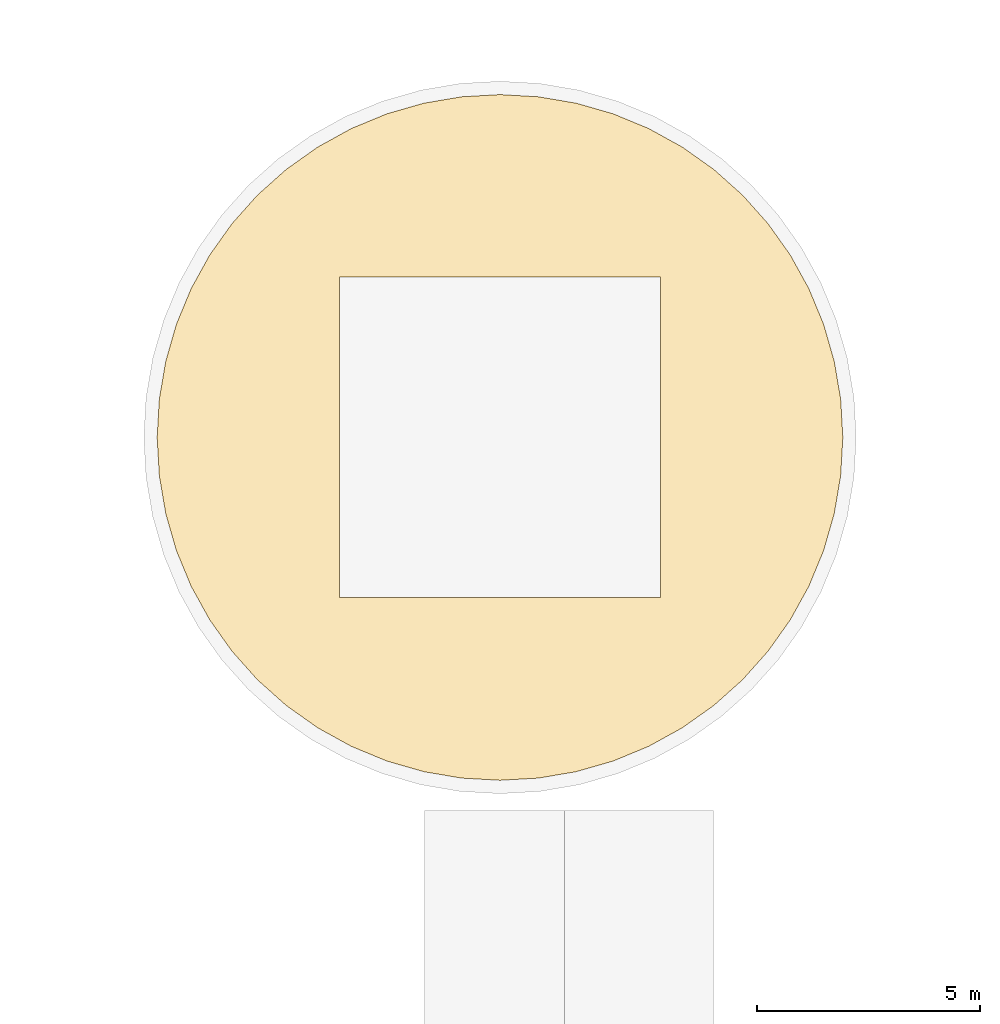
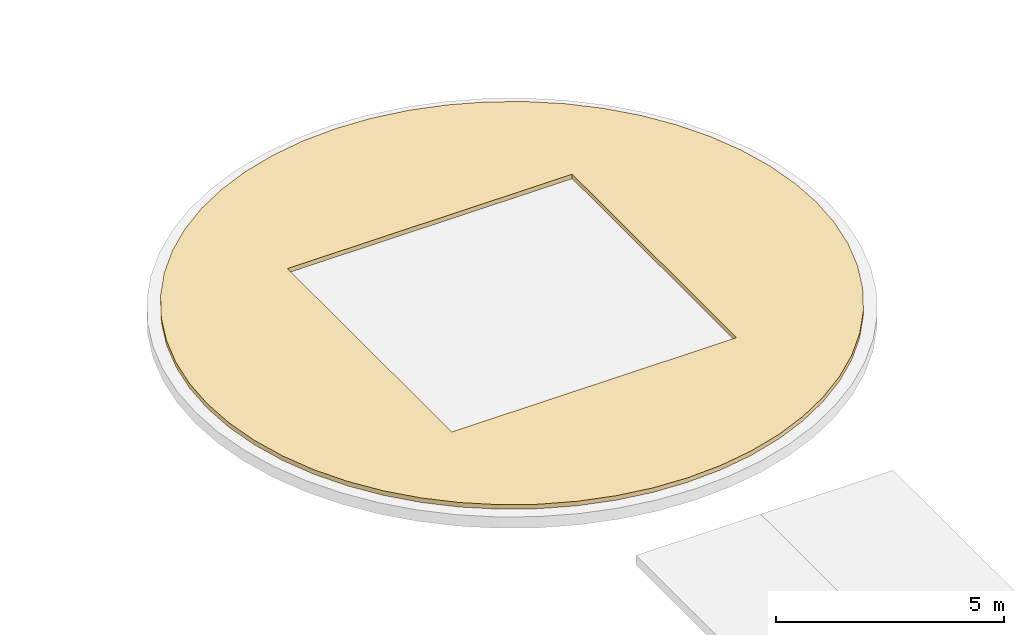
# One storey, part 2 of 2: 1 covering.
"""IFC4 building model written with IfcOpenShell, lengths in metres."""

from ifc_helpers import new_model, si_unit, direction, frame, origin, place, context, subcontext, project, spatial, polyline, outline, extrude, material, layer, layer_set, type_object, element, save


model = new_model("IFC4")

# Units and contexts
model_context = context("Model", 3, precision=1e-05, world=origin(), true_north=direction((0.0, 1.0)))
body_context = subcontext(model_context, "Body", "Model", "MODEL_VIEW")
ifc_project = project(units=[si_unit("LENGTHUNIT", "METRE"), si_unit("AREAUNIT", "SQUARE_METRE"), si_unit("VOLUMEUNIT", "CUBIC_METRE"), si_unit("PLANEANGLEUNIT", "RADIAN"), si_unit("MASSUNIT", "GRAM", prefix="KILO")], contexts=[model_context])

# Site, building, storey
site_placement = place(None, origin())
site = spatial("IfcSite", under=ifc_project, at=site_placement, CompositionType="ELEMENT")
building_placement = place(site_placement, origin())
building = spatial("IfcBuilding", under=site, at=building_placement, Name="Mahtab Terrace Research Tower", CompositionType="ELEMENT")
storey_placement = place(building_placement, frame((0.0, 0.0, 292.949951171875)))
storey = spatial("IfcBuildingStorey", under=building, at=storey_placement, Name="Roof", CompositionType="ELEMENT", Elevation=292.949951171875)

# Covering
ifc_material = material(Name="Bituminous roof membrane")
ifc_layer = layer(ifc_material, 0.1201171875)
ifc_layer_set = layer_set([ifc_layer], Name="Plant drum membrane roof build-up 120")
covering_type = type_object("IfcCoveringType", Name="Plant drum membrane roof build-up 120", PredefinedType="ROOFING", material=ifc_layer_set)
covering_placement = place(storey_placement, frame((0.0, 0.0, 0.949951171875)))
element("IfcCovering", 1, at=covering_placement, inside=storey, type_object=covering_type, Name="Plant drum roof build-up 1", PredefinedType="ROOFING", context=body_context, shape_type="SweptSolid", body=[
    extrude(outline(polyline([(7.699951171875, 5.75), (7.65087890625, 4.887939453125), (7.506103515625, 4.037109375), (7.26708984375, 3.20703125), (6.93701171875, 2.408935546875), (6.52001953125, 1.654052734375), (6.02001953125, 0.948974609375), (5.445068359375, 0.304931640625), (4.801025390625, -0.27001953125), (4.095947265625, -0.77001953125), (3.341064453125, -1.18701171875), (2.54296875, -1.51708984375), (1.712890625, -1.756103515625), (0.862060546875, -1.90087890625), (0.0, -1.949951171875), (-0.862060546875, -1.90087890625), (-1.712890625, -1.756103515625), (-2.54296875, -1.51708984375), (-3.341064453125, -1.18701171875), (-4.095947265625, -0.77001953125), (-4.801025390625, -0.27001953125), (-5.445068359375, 0.304931640625), (-6.02001953125, 0.948974609375), (-6.52001953125, 1.654052734375), (-6.93701171875, 2.408935546875), (-7.26708984375, 3.20703125), (-7.506103515625, 4.037109375), (-7.65087890625, 4.887939453125), (-7.699951171875, 5.75), (-7.65087890625, 6.612060546875), (-7.506103515625, 7.462890625), (-7.26708984375, 8.29296875), (-6.93701171875, 9.091064453125), (-6.52001953125, 9.845947265625), (-6.02001953125, 10.551025390625), (-5.445068359375, 11.195068359375), (-4.801025390625, 11.77001953125), (-4.095947265625, 12.27001953125), (-3.341064453125, 12.68701171875), (-2.54296875, 13.01708984375), (-1.712890625, 13.256103515625), (-0.862060546875, 13.40087890625), (0.0, 13.449951171875), (0.862060546875, 13.40087890625), (1.712890625, 13.256103515625), (2.54296875, 13.01708984375), (3.341064453125, 12.68701171875), (4.095947265625, 12.27001953125), (4.801025390625, 11.77001953125), (5.445068359375, 11.195068359375), (6.02001953125, 10.551025390625), (6.52001953125, 9.845947265625), (6.93701171875, 9.091064453125), (7.26708984375, 8.29296875), (7.506103515625, 7.462890625), (7.65087890625, 6.612060546875), (7.699951171875, 5.75)]), holes=[polyline([(3.60009765625, 9.35009765625), (-3.60009765625, 9.35009765625), (-3.60009765625, 2.14990234375), (3.60009765625, 2.14990234375), (3.60009765625, 9.35009765625)])]), origin(), (0.0, 0.0, 1.0), 0.1201171875),
])

save(model, "model.ifc")
